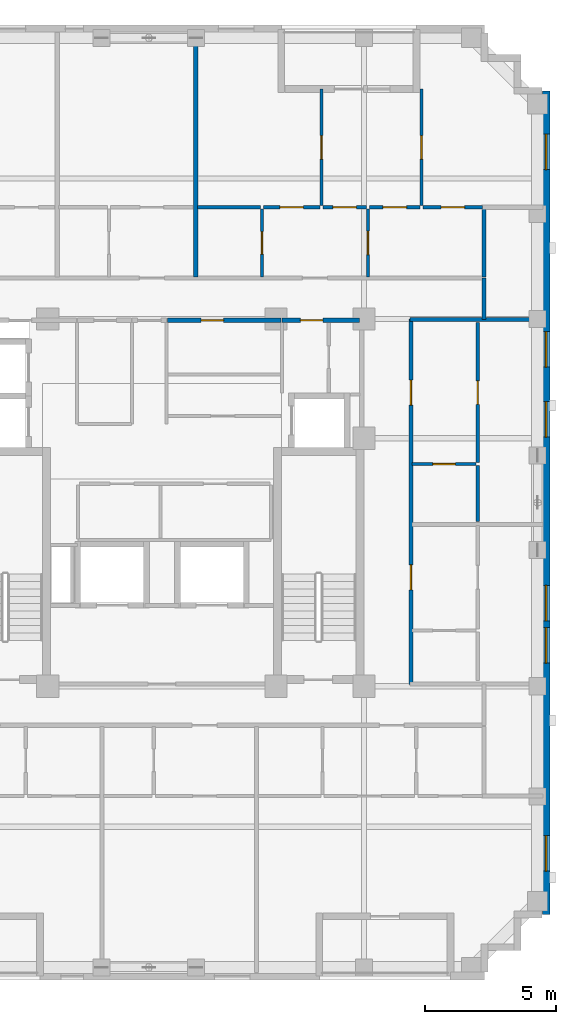
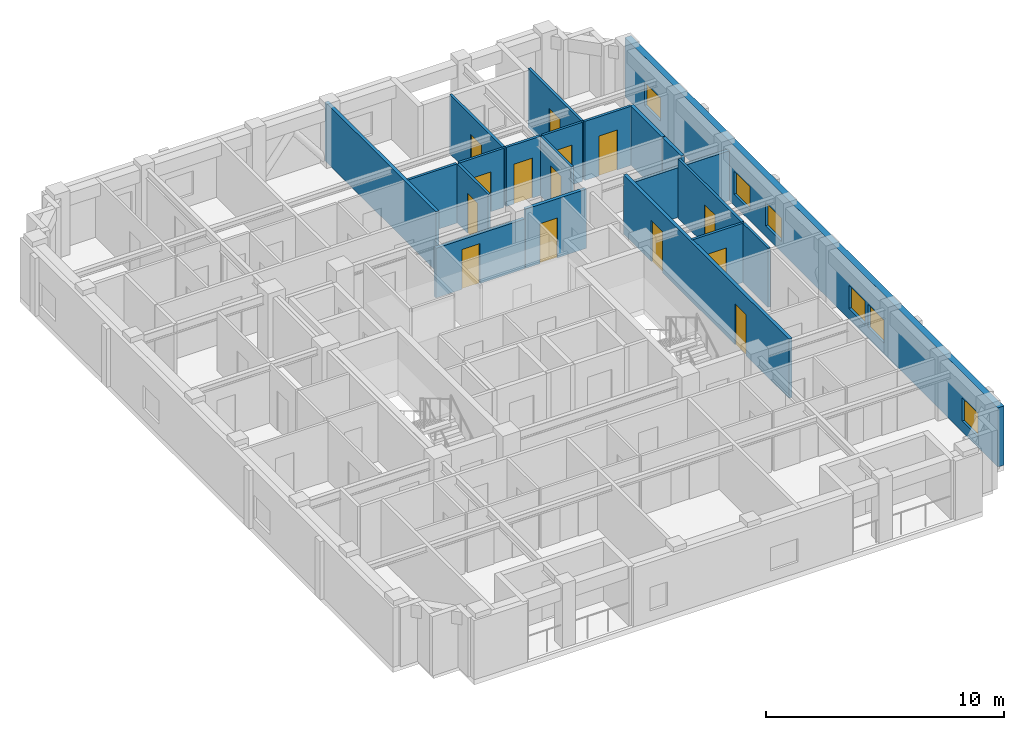
# One storey, part 6 of 11: 20 walls, 14 doors, 6 windows, 20 openings.
"""IFC4 building model written with IfcOpenShell, lengths in metres."""

import ifcopenshell
import ifcopenshell.guid

model = None  # the IFC model being written
_history = None  # IfcOwnerHistory: only IFC2X3 demands one
_inside = {}  # id of a spatial element -> (the spatial element, [elements in it])
_under = {}  # id of a project, library or spatial element -> (it, [spatial elements below it])
_declared = {}  # id of a project -> (the project, [libraries it declares])
_typed = {}  # id of a type object -> (the type object, [elements of that type])
_made_of = {}  # id of a material, layer set ... -> (it, [elements and type objects made of it])


def new_model(schema):
    """Start an empty IFC model of exactly this schema.

    Asked for "IFC4X3", IfcOpenShell would pick the latest addendum, in which some entities
    have other attributes; the version numbers below select the first issue.
    IFC2X3 requires an IfcOwnerHistory on every rooted entity: one is made here for all.
    """
    global model, _history
    if schema == "IFC4X3":
        model = ifcopenshell.file(schema_version=(4, 3, 0, 0))
    else:
        model = ifcopenshell.file(schema=schema)
    _inside.clear()
    _under.clear()
    _declared.clear()
    _typed.clear()
    _made_of.clear()
    _history = None
    if model.schema == "IFC2X3":
        org = make("IfcOrganization", Name="unknown")
        user = make(
            "IfcPersonAndOrganization",
            ThePerson=make("IfcPerson", FamilyName="unknown"),
            TheOrganization=org,
        )
        app = make(
            "IfcApplication",
            ApplicationDeveloper=org,
            Version="unknown",
            ApplicationFullName="unknown",
            ApplicationIdentifier="unknown",
        )
        _history = make(
            "IfcOwnerHistory",
            OwningUser=user,
            OwningApplication=app,
            ChangeAction="ADDED",
            CreationDate=0,
        )
    return model


def make(cls, **values):
    """One entity of the class cls with the attributes given. An attribute that is None is left unset."""
    return model.create_entity(
        cls, **{name: value for name, value in values.items() if value is not None}
    )


def rooted(cls, **values):
    """An entity with a GlobalId (a new one), such as an element, a storey or a relation."""
    return make(cls, GlobalId=ifcopenshell.guid.new(), OwnerHistory=_history, **values)


def si_unit(unit_type, name, prefix=None):
    """IfcSIUnit, for example si_unit("LENGTHUNIT", "METRE", prefix="MILLI")."""
    return make("IfcSIUnit", UnitType=unit_type, Prefix=prefix, Name=name)


def derived_unit(unit_type, elements):
    """IfcDerivedUnit: a product of units, each with its exponent."""
    return make(
        "IfcDerivedUnit",
        Elements=[
            make("IfcDerivedUnitElement", Unit=unit, Exponent=power)
            for unit, power in elements
        ],
        UnitType=unit_type,
    )


def assignment(units):
    """IfcUnitAssignment: the units of a project."""
    return None if units is None else make("IfcUnitAssignment", Units=units)


def point(xyz):
    """IfcCartesianPoint."""
    return None if xyz is None else make("IfcCartesianPoint", Coordinates=xyz)


def direction(xyz):
    """IfcDirection."""
    return None if xyz is None else make("IfcDirection", DirectionRatios=xyz)


def frame(location, z_axis=None, x_axis=None):
    """IfcAxis2Placement3D, a coordinate frame: its origin and axes. An axis left out is left unset."""
    return make(
        "IfcAxis2Placement3D",
        Location=point(location),
        Axis=direction(z_axis),
        RefDirection=direction(x_axis),
    )


def frame_2d(location, x_axis=None):
    """IfcAxis2Placement2D, a coordinate frame in the plane: its origin and x axis."""
    return make(
        "IfcAxis2Placement2D", Location=point(location), RefDirection=direction(x_axis)
    )


def origin():
    """The frame at (0, 0, 0) with its axes left unset."""
    return frame((0.0, 0.0, 0.0))


def place(relative_to, where):
    """IfcLocalPlacement: puts the frame where relative to a parent placement (None: the world)."""
    return make(
        "IfcLocalPlacement", PlacementRelTo=relative_to, RelativePlacement=where
    )


def context(
    kind, dimensions, precision=None, world=None, true_north=None, identifier=None
):
    """IfcGeometricRepresentationContext, for example the 3D "Model" context."""
    return make(
        "IfcGeometricRepresentationContext",
        ContextIdentifier=identifier,
        ContextType=kind,
        CoordinateSpaceDimension=dimensions,
        Precision=precision,
        WorldCoordinateSystem=world,
        TrueNorth=true_north,
    )


def subcontext(parent, identifier, kind, view, scale=None):
    """IfcGeometricRepresentationSubContext, for example "Body" below "Model"."""
    return make(
        "IfcGeometricRepresentationSubContext",
        ContextIdentifier=identifier,
        ContextType=kind,
        ParentContext=parent,
        TargetScale=scale,
        TargetView=view,
    )


def project(units=None, contexts=None):
    """IfcProject with its units and contexts."""
    return rooted(
        "IfcProject",
        Name="project",
        RepresentationContexts=contexts,
        UnitsInContext=assignment(units),
    )


def spatial(cls, under=None, at=None, **own):
    """A site, building, storey or space (cls), placed at a placement, below another one or the project."""
    s = rooted(cls, ObjectPlacement=at, **own)
    if under is not None:
        _under.setdefault(under.id(), (under, []))[1].append(s)
    return s


def profile(cls, at=None, kind="AREA", **sizes):
    """A parametric profile (cls). Its sizes go by their IFC names, for example OverallWidth=200.0."""
    return make(cls, ProfileType=kind, Position=at, **sizes)


def rectangle(**sizes):
    """IfcRectangleProfileDef."""
    return profile("IfcRectangleProfileDef", **sizes)


def extrude(swept, where, along, depth):
    """IfcExtrudedAreaSolid: the profile swept, set in the frame where, extruded along a direction by depth."""
    return make(
        "IfcExtrudedAreaSolid",
        SweptArea=swept,
        Position=where,
        ExtrudedDirection=direction(along),
        Depth=depth,
    )


def shape(context_of_items, identifier, shape_type, items):
    """IfcShapeRepresentation: the items that make up one representation, for example the "Body"."""
    return make(
        "IfcShapeRepresentation",
        ContextOfItems=context_of_items,
        RepresentationIdentifier=identifier,
        RepresentationType=shape_type,
        Items=items,
    )


def material(Name=None, Category=None):
    """IfcMaterial."""
    return make("IfcMaterial", Name=Name, Category=Category)


def layer(
    of_material, thickness, ventilated=None, Name=None, Category=None, Priority=None
):
    """IfcMaterialLayer: one layer of a wall or slab, of a material (None: an air gap)."""
    return make(
        "IfcMaterialLayer",
        Material=of_material,
        LayerThickness=thickness,
        IsVentilated=ventilated,
        Name=Name,
        Category=Category,
        Priority=Priority,
    )


def layer_set(layers, Name=None):
    """IfcMaterialLayerSet."""
    return make("IfcMaterialLayerSet", MaterialLayers=layers, LayerSetName=Name)


def made_of(thing, what):
    """Note that an element or type object is made of a material, layer set ...; save() writes the relation."""
    if what is not None:
        _made_of.setdefault(what.id(), (what, []))[1].append(thing)
    return thing


def type_object(cls, material=None, **own):
    """A type object (cls), such as IfcWallType, which elements share."""
    return made_of(rooted(cls, **own), material)


def element(
    cls,
    number,
    at=None,
    inside=None,
    cuts=None,
    type_object=None,
    material=None,
    context=None,
    identifier="Body",
    shape_type=None,
    held_by="IfcProductDefinitionShape",
    body=None,
    shapes=None,
    **own,
):
    """One element of the class cls, such as IfcWall. Its Tag is "e" and its number.

    at: its placement. inside: the storey or other place that contains it. cuts: it is an
    opening in that element (IfcRelVoidsElement). A single representation is given by context,
    identifier, shape_type and body (its items); several are given by shapes. held_by: the class
    of the entity that holds the representations. save() writes the other relations.
    """
    e = rooted(cls, Tag="e%d" % number, ObjectPlacement=at, **own)
    if body is not None:
        shapes = [shape(context, identifier, shape_type, body)]
    if shapes is not None:
        e.Representation = make(held_by, Representations=shapes)
    if inside is not None:
        _inside.setdefault(inside.id(), (inside, []))[1].append(e)
    if cuts is not None:
        rooted(
            "IfcRelVoidsElement", RelatingBuildingElement=cuts, RelatedOpeningElement=e
        )
    if type_object is not None:
        _typed.setdefault(type_object.id(), (type_object, []))[1].append(e)
    return made_of(e, material)


def fill(opening, filler):
    """IfcRelFillsElement: the door or window that sits in an opening."""
    return rooted(
        "IfcRelFillsElement",
        RelatingOpeningElement=opening,
        RelatedBuildingElement=filler,
    )


def aggregate(whole, parts):
    """IfcRelAggregates: a whole, such as a stair, and the parts it consists of."""
    return rooted("IfcRelAggregates", RelatingObject=whole, RelatedObjects=parts)


def save(model, path):
    """Write the relations noted so far, then the file.

    IfcRelAggregates (storeys below a building ...), IfcRelContainedInSpatialStructure (elements
    in a storey), IfcRelDefinesByType, IfcRelAssociatesMaterial and IfcRelDeclares: one each for
    every whole, place, type object, material and project.
    """
    for whole, parts in _under.values():
        aggregate(whole, parts)
    for where, things in _inside.values():
        rooted(
            "IfcRelContainedInSpatialStructure",
            RelatedElements=things,
            RelatingStructure=where,
        )
    for kind, things in _typed.values():
        rooted("IfcRelDefinesByType", RelatedObjects=things, RelatingType=kind)
    for what, things in _made_of.values():
        rooted("IfcRelAssociatesMaterial", RelatedObjects=things, RelatingMaterial=what)
    for by, libraries in _declared.values():
        rooted("IfcRelDeclares", RelatingContext=by, RelatedDefinitions=libraries)
    model.write(path)


model = new_model("IFC4")

# Units and contexts
model_context = context("Model", 3, precision=1e-05, world=origin(), true_north=direction((0.0, 1.0)))
body_context = subcontext(model_context, "Body", "Model", "MODEL_VIEW")
ifc_project = project(units=[si_unit("LENGTHUNIT", "METRE"), si_unit("AREAUNIT", "SQUARE_METRE"), si_unit("VOLUMEUNIT", "CUBIC_METRE"), si_unit("PLANEANGLEUNIT", "RADIAN"), si_unit("MASSUNIT", "GRAM", prefix="KILO"), derived_unit("THERMALTRANSMITTANCEUNIT", [(si_unit("MASSUNIT", "GRAM", prefix="KILO"), 1), (si_unit("TIMEUNIT", "SECOND"), -3), (si_unit("THERMODYNAMICTEMPERATUREUNIT", "KELVIN"), -1)])], contexts=[model_context])

# Site, building, storey
site_placement = place(None, origin())
site = spatial("IfcSite", under=ifc_project, at=site_placement, CompositionType="ELEMENT")
building_placement = place(site_placement, origin())
building = spatial("IfcBuilding", under=site, at=building_placement, Name="Korrvale Station Residences", CompositionType="ELEMENT")
storey_placement = place(building_placement, frame((0.0, 0.0, 214.0)))
storey = spatial("IfcBuildingStorey", under=building, at=storey_placement, Name="L62", CompositionType="ELEMENT", Elevation=214.0)

# Wall, openings, windows
ifc_material_1 = material(Name="Precast concrete C45/55", Category="concrete")
ifc_layer_1 = layer(ifc_material_1, 0.300048828125, Name="Precast concrete C45/55")
ifc_layer_set_1 = layer_set([ifc_layer_1], Name="Precast concrete C45/55")
wall_type_1 = type_object("IfcWallType", Name="WAL-EXT-PC300", PredefinedType="SOLIDWALL", material=ifc_layer_set_1)
wall_1_placement = place(storey_placement, frame((40.14990234375, 37.699951171875, 0.0), z_axis=(0.0, 0.0, 1.0), x_axis=(0.0, -1.0, 0.0)))
wall_1 = element("IfcWall", 1, at=wall_1_placement, inside=storey, type_object=wall_type_1, Name="L62 East Exterior Precast Wall 1", PredefinedType="SOLIDWALL", context=body_context, shape_type="SweptSolid", body=[
    extrude(rectangle(XDim=31.39990234375, YDim=0.300048828125, at=frame_2d((15.699951171875, 0.0))), origin(), (0.0, 0.0, 1.0), 3.0400390625),
])
opening_1_placement = place(wall_1_placement, frame((28.39599609375, 0.0, 0.550048828125)))
opening_1 = element("IfcOpeningElement", 2, at=opening_1_placement, cuts=wall_1, Name="Opening W-10", PredefinedType="OPENING", context=body_context, shape_type="SweptSolid", body=[
    extrude(rectangle(XDim=1.35009765625, YDim=1.199951171875, at=frame_2d((0.675048828125, 0.60009765625))), frame((0.0, 0.16015625, 0.0), z_axis=(0.0, -1.0, 0.0), x_axis=(1.0, 0.0, 0.0)), (0.0, 0.0, 1.0), 0.320068359375),
])
opening_2_placement = place(wall_1_placement, frame((1.653076171875, 0.0, 0.550048828125)))
opening_2 = element("IfcOpeningElement", 3, at=opening_2_placement, cuts=wall_1, Name="Opening W-10", PredefinedType="OPENING", context=body_context, shape_type="SweptSolid", body=[
    extrude(rectangle(XDim=1.35009765625, YDim=1.199951171875, at=frame_2d((0.675048828125, 0.60009765625))), frame((0.0, 0.16015625, 0.0), z_axis=(0.0, -1.0, 0.0), x_axis=(1.0, 0.0, 0.0)), (0.0, 0.0, 1.0), 0.320068359375),
])
opening_3_placement = place(wall_1_placement, frame((18.85595703125, 0.0, 0.550048828125)))
opening_3 = element("IfcOpeningElement", 4, at=opening_3_placement, cuts=wall_1, Name="Opening W-10", PredefinedType="OPENING", context=body_context, shape_type="SweptSolid", body=[
    extrude(rectangle(XDim=1.35009765625, YDim=1.199951171875, at=frame_2d((0.675048828125, 0.60009765625))), frame((0.0, 0.16015625, 0.0), z_axis=(0.0, -1.0, 0.0), x_axis=(1.0, 0.0, 0.0)), (0.0, 0.0, 1.0), 0.320068359375),
])
opening_4_placement = place(wall_1_placement, frame((20.466064453125, 0.0, 0.550048828125)))
opening_4 = element("IfcOpeningElement", 5, at=opening_4_placement, cuts=wall_1, Name="Opening W-10", PredefinedType="OPENING", context=body_context, shape_type="SweptSolid", body=[
    extrude(rectangle(XDim=1.35009765625, YDim=1.199951171875, at=frame_2d((0.675048828125, 0.60009765625))), frame((0.0, 0.16015625, 0.0), z_axis=(0.0, -1.0, 0.0), x_axis=(1.0, 0.0, 0.0)), (0.0, 0.0, 1.0), 0.320068359375),
])
opening_5_placement = place(wall_1_placement, frame((11.85009765625, 0.0, 0.550048828125)))
opening_5 = element("IfcOpeningElement", 6, at=opening_5_placement, cuts=wall_1, Name="Opening W-10", PredefinedType="OPENING", context=body_context, shape_type="SweptSolid", body=[
    extrude(rectangle(XDim=1.35009765625, YDim=1.199951171875, at=frame_2d((0.675048828125, 0.60009765625))), frame((0.0, 0.16015625, 0.0), z_axis=(0.0, -1.0, 0.0), x_axis=(1.0, 0.0, 0.0)), (0.0, 0.0, 1.0), 0.320068359375),
])
opening_6_placement = place(wall_1_placement, frame((9.18505859375, 0.0, 0.550048828125)))
opening_6 = element("IfcOpeningElement", 7, at=opening_6_placement, cuts=wall_1, Name="Opening W-10", PredefinedType="OPENING", context=body_context, shape_type="SweptSolid", body=[
    extrude(rectangle(XDim=1.35009765625, YDim=1.199951171875, at=frame_2d((0.675048828125, 0.60009765625))), frame((0.0, 0.16015625, 0.0), z_axis=(0.0, -1.0, 0.0), x_axis=(1.0, 0.0, 0.0)), (0.0, 0.0, 1.0), 0.320068359375),
])
ifc_material_2 = material(Name="Thermally broken aluminium frame with triple low-e glazing", Category="aluminium")
window_type = type_object("IfcWindowType", Name="WIN-W10", PartitioningType="SINGLE_PANEL", PredefinedType="WINDOW", material=ifc_material_2)
window_1_placement = place(opening_1_placement, origin())
window_1 = element("IfcWindow", 8, at=window_1_placement, inside=storey, type_object=window_type, Name="L62 Punched Window 03", OverallHeight=1.199951171875, OverallWidth=1.35009765625, PartitioningType="SINGLE_PANEL", PredefinedType="WINDOW", context=body_context, shape_type="SweptSolid", body=[
    extrude(rectangle(XDim=1.35009765625, YDim=1.199951171875, at=frame_2d((0.675048828125, 0.60009765625))), frame((0.0, 0.030029296875, 0.0), z_axis=(0.0, -1.0, 0.0), x_axis=(1.0, 0.0, 0.0)), (0.0, 0.0, 1.0), 0.06005859375),
])
fill(opening_1, window_1)
window_2_placement = place(opening_2_placement, origin())
window_2 = element("IfcWindow", 9, at=window_2_placement, inside=storey, type_object=window_type, Name="L62 Punched Window 10", OverallHeight=1.199951171875, OverallWidth=1.35009765625, PartitioningType="SINGLE_PANEL", PredefinedType="WINDOW", context=body_context, shape_type="SweptSolid", body=[
    extrude(rectangle(XDim=1.35009765625, YDim=1.199951171875, at=frame_2d((0.675048828125, 0.60009765625))), frame((0.0, 0.030029296875, 0.0), z_axis=(0.0, -1.0, 0.0), x_axis=(1.0, 0.0, 0.0)), (0.0, 0.0, 1.0), 0.06005859375),
])
fill(opening_2, window_2)
window_3_placement = place(opening_3_placement, origin())
window_3 = element("IfcWindow", 10, at=window_3_placement, inside=storey, type_object=window_type, Name="L62 Punched Window 13", OverallHeight=1.199951171875, OverallWidth=1.35009765625, PartitioningType="SINGLE_PANEL", PredefinedType="WINDOW", context=body_context, shape_type="SweptSolid", body=[
    extrude(rectangle(XDim=1.35009765625, YDim=1.199951171875, at=frame_2d((0.675048828125, 0.60009765625))), frame((0.0, 0.030029296875, 0.0), z_axis=(0.0, -1.0, 0.0), x_axis=(1.0, 0.0, 0.0)), (0.0, 0.0, 1.0), 0.06005859375),
])
fill(opening_3, window_3)
window_4_placement = place(opening_4_placement, origin())
window_4 = element("IfcWindow", 11, at=window_4_placement, inside=storey, type_object=window_type, Name="L62 Punched Window 14", OverallHeight=1.199951171875, OverallWidth=1.35009765625, PartitioningType="SINGLE_PANEL", PredefinedType="WINDOW", context=body_context, shape_type="SweptSolid", body=[
    extrude(rectangle(XDim=1.35009765625, YDim=1.199951171875, at=frame_2d((0.675048828125, 0.60009765625))), frame((0.0, 0.030029296875, 0.0), z_axis=(0.0, -1.0, 0.0), x_axis=(1.0, 0.0, 0.0)), (0.0, 0.0, 1.0), 0.06005859375),
])
fill(opening_4, window_4)
window_5_placement = place(opening_5_placement, origin())
window_5 = element("IfcWindow", 12, at=window_5_placement, inside=storey, type_object=window_type, Name="L62 Punched Window 15", OverallHeight=1.199951171875, OverallWidth=1.35009765625, PartitioningType="SINGLE_PANEL", PredefinedType="WINDOW", context=body_context, shape_type="SweptSolid", body=[
    extrude(rectangle(XDim=1.35009765625, YDim=1.199951171875, at=frame_2d((0.675048828125, 0.60009765625))), frame((0.0, 0.030029296875, 0.0), z_axis=(0.0, -1.0, 0.0), x_axis=(1.0, 0.0, 0.0)), (0.0, 0.0, 1.0), 0.06005859375),
])
fill(opening_5, window_5)
window_6_placement = place(opening_6_placement, origin())
window_6 = element("IfcWindow", 13, at=window_6_placement, inside=storey, type_object=window_type, Name="L62 Punched Window 16", OverallHeight=1.199951171875, OverallWidth=1.35009765625, PartitioningType="SINGLE_PANEL", PredefinedType="WINDOW", context=body_context, shape_type="SweptSolid", body=[
    extrude(rectangle(XDim=1.35009765625, YDim=1.199951171875, at=frame_2d((0.675048828125, 0.60009765625))), frame((0.0, 0.030029296875, 0.0), z_axis=(0.0, -1.0, 0.0), x_axis=(1.0, 0.0, 0.0)), (0.0, 0.0, 1.0), 0.06005859375),
])
fill(opening_6, window_6)

# Wall, opening, door
ifc_material_3 = material(Name="Acoustic steel-stud gypsum board partition", Category="steel")
ifc_layer_2 = layer(ifc_material_3, 0.1201171875, Name="Acoustic steel-stud gypsum board partition")
ifc_layer_set_2 = layer_set([ifc_layer_2], Name="Acoustic steel-stud gypsum board partition")
wall_type_2 = type_object("IfcWallType", Name="WAL-PART-125", PredefinedType="PARTITIONING", material=ifc_layer_set_2)
wall_2_placement = place(storey_placement, frame((29.31201171875, 30.60009765625, 0.0), z_axis=(0.0, 0.0, 1.0), x_axis=(0.0, 1.0, 0.0)))
wall_2 = element("IfcWall", 14, at=wall_2_placement, inside=storey, type_object=wall_type_2, Name="L62 Suite Partition U06-V01", PredefinedType="PARTITIONING", context=body_context, shape_type="SweptSolid", body=[
    extrude(rectangle(XDim=2.599853515625, YDim=0.1201171875, at=frame_2d((1.2998046875, 0.0))), origin(), (0.0, 0.0, 1.0), 3.0400390625),
])
opening_7_placement = place(wall_2_placement, frame((0.8701171875, 0.0, 0.0)))
opening_7 = element("IfcOpeningElement", 15, at=opening_7_placement, cuts=wall_2, Name="Opening DB-860", PredefinedType="OPENING", context=body_context, shape_type="SweptSolid", body=[
    extrude(rectangle(XDim=0.860107421875, YDim=2.050048828125, at=frame_2d((0.43017578125, 1.02490234375))), frame((0.0, 0.070068359375, 0.0), z_axis=(0.0, -1.0, 0.0), x_axis=(1.0, 0.0, 0.0)), (0.0, 0.0, 1.0), 0.14013671875),
])
ifc_material_4 = material(Name="Moisture-resistant solid-core bathroom door", Category="timber")
door_type_1 = type_object("IfcDoorType", Name="DR-BATH-860", OperationType="NOTDEFINED", PredefinedType="DOOR", material=ifc_material_4)
door_1_placement = place(opening_7_placement, origin())
door_1 = element("IfcDoor", 16, at=door_1_placement, inside=storey, type_object=door_type_1, Name="L62 Apartment 1BR L62-U06 Bathroom Door", OperationType="SINGLE_SWING_RIGHT", OverallHeight=2.050048828125, OverallWidth=0.860107421875, PredefinedType="DOOR", context=body_context, shape_type="SweptSolid", body=[
    extrude(rectangle(XDim=0.860107421875, YDim=2.050048828125, at=frame_2d((0.43017578125, 1.02490234375))), frame((0.0, 0.02490234375, 0.0), z_axis=(0.0, -1.0, 0.0), x_axis=(1.0, 0.0, 0.0)), (0.0, 0.0, 1.0), 0.050048828125),
])
fill(opening_7, door_1)

# Wall
wall_3_placement = place(storey_placement, frame((26.85205078125, 33.260009765625, 0.0), z_axis=(0.0, 0.0, 1.0), x_axis=(1.0, 0.0, 0.0)))
element("IfcWall", 17, at=wall_3_placement, inside=storey, type_object=wall_type_2, Name="L62 Suite Partition U06-H03", PredefinedType="PARTITIONING", context=body_context, shape_type="SweptSolid", body=[
    extrude(rectangle(XDim=2.39990234375, YDim=0.1201171875, at=frame_2d((1.199951171875, 0.0))), origin(), (0.0, 0.0, 1.0), 3.0400390625),
])

# Wall, opening, door
wall_4_placement = place(storey_placement, frame((33.35205078125, 30.60009765625, 0.0), z_axis=(0.0, 0.0, 1.0), x_axis=(0.0, 1.0, 0.0)))
wall_4 = element("IfcWall", 18, at=wall_4_placement, inside=storey, type_object=wall_type_2, Name="L62 Suite Partition U06-V12", PredefinedType="PARTITIONING", context=body_context, shape_type="SweptSolid", body=[
    extrude(rectangle(XDim=2.599853515625, YDim=0.1201171875, at=frame_2d((1.2998046875, 0.0))), origin(), (0.0, 0.0, 1.0), 3.0400390625),
])
opening_8_placement = place(wall_4_placement, frame((0.85009765625, 0.0, 0.0)))
opening_8 = element("IfcOpeningElement", 19, at=opening_8_placement, cuts=wall_4, Name="Opening DI-900", PredefinedType="OPENING", context=body_context, shape_type="SweptSolid", body=[
    extrude(rectangle(XDim=0.89990234375, YDim=2.050048828125, at=frame_2d((0.449951171875, 1.02490234375))), frame((0.0, 0.070068359375, 0.0), z_axis=(0.0, -1.0, 0.0), x_axis=(1.0, 0.0, 0.0)), (0.0, 0.0, 1.0), 0.14013671875),
])
ifc_material_5 = material(Name="Painted solid-core timber interior room door", Category="wood")
door_type_2 = type_object("IfcDoorType", Name="DR-INT-900", OperationType="NOTDEFINED", PredefinedType="DOOR", material=ifc_material_5)
door_2_placement = place(opening_8_placement, origin())
door_2 = element("IfcDoor", 20, at=door_2_placement, inside=storey, type_object=door_type_2, Name="L62 Apartment 1BR L62-U06 Kitchen Door", OperationType="SINGLE_SWING_LEFT", OverallHeight=2.050048828125, OverallWidth=0.89990234375, PredefinedType="DOOR", context=body_context, shape_type="SweptSolid", body=[
    extrude(rectangle(XDim=0.89990234375, YDim=2.050048828125, at=frame_2d((0.449951171875, 1.02490234375))), frame((0.0, 0.02490234375, 0.0), z_axis=(0.0, -1.0, 0.0), x_axis=(1.0, 0.0, 0.0)), (0.0, 0.0, 1.0), 0.050048828125),
])
fill(opening_8, door_2)

wall_5_placement = place(storey_placement, frame((29.3720703125, 33.260009765625, 0.0), z_axis=(0.0, 0.0, 1.0), x_axis=(1.0, 0.0, 0.0)))
wall_5 = element("IfcWall", 21, at=wall_5_placement, inside=storey, type_object=wall_type_2, Name="L62 Suite Partition U06-H13", PredefinedType="PARTITIONING", context=body_context, shape_type="SweptSolid", body=[
    extrude(rectangle(XDim=2.14794921875, YDim=0.1201171875, at=frame_2d((1.073974609375, 0.0))), origin(), (0.0, 0.0, 1.0), 3.0400390625),
])
opening_9_placement = place(wall_5_placement, frame((0.6240234375, 0.0, 0.0)))
opening_9 = element("IfcOpeningElement", 22, at=opening_9_placement, cuts=wall_5, Name="Opening DI-900", PredefinedType="OPENING", context=body_context, shape_type="SweptSolid", body=[
    extrude(rectangle(XDim=0.89990234375, YDim=2.050048828125, at=frame_2d((0.449951171875, 1.02490234375))), frame((0.0, 0.070068359375, 0.0), z_axis=(0.0, -1.0, 0.0), x_axis=(1.0, 0.0, 0.0)), (0.0, 0.0, 1.0), 0.14013671875),
])
door_3_placement = place(opening_9_placement, origin())
door_3 = element("IfcDoor", 23, at=door_3_placement, inside=storey, type_object=door_type_2, Name="L62 Apartment 1BR L62-U06 Kitchen Door", OperationType="SINGLE_SWING_RIGHT", OverallHeight=2.050048828125, OverallWidth=0.89990234375, PredefinedType="DOOR", context=body_context, shape_type="SweptSolid", body=[
    extrude(rectangle(XDim=0.89990234375, YDim=2.050048828125, at=frame_2d((0.449951171875, 1.02490234375))), frame((0.0, 0.02490234375, 0.0), z_axis=(0.0, -1.0, 0.0), x_axis=(1.0, 0.0, 0.0)), (0.0, 0.0, 1.0), 0.050048828125),
])
fill(opening_9, door_3)

wall_6_placement = place(storey_placement, frame((31.639892578125, 33.260009765625, 0.0), z_axis=(0.0, 0.0, 1.0), x_axis=(1.0, 0.0, 0.0)))
wall_6 = element("IfcWall", 24, at=wall_6_placement, inside=storey, type_object=wall_type_2, Name="L62 Suite Partition U06-H14", PredefinedType="PARTITIONING", context=body_context, shape_type="SweptSolid", body=[
    extrude(rectangle(XDim=1.652099609375, YDim=0.1201171875, at=frame_2d((0.826171875, 0.0))), origin(), (0.0, 0.0, 1.0), 3.0400390625),
])
opening_10_placement = place(wall_6_placement, frame((0.3759765625, 0.0, 0.0)))
opening_10 = element("IfcOpeningElement", 25, at=opening_10_placement, cuts=wall_6, Name="Opening DI-900", PredefinedType="OPENING", context=body_context, shape_type="SweptSolid", body=[
    extrude(rectangle(XDim=0.89990234375, YDim=2.050048828125, at=frame_2d((0.449951171875, 1.02490234375))), frame((0.0, 0.070068359375, 0.0), z_axis=(0.0, -1.0, 0.0), x_axis=(1.0, 0.0, 0.0)), (0.0, 0.0, 1.0), 0.14013671875),
])
door_4_placement = place(opening_10_placement, origin())
door_4 = element("IfcDoor", 26, at=door_4_placement, inside=storey, type_object=door_type_2, Name="L62 Apartment 1BR L62-U06 Kitchen Door", OperationType="SINGLE_SWING_LEFT", OverallHeight=2.050048828125, OverallWidth=0.89990234375, PredefinedType="DOOR", context=body_context, shape_type="SweptSolid", body=[
    extrude(rectangle(XDim=0.89990234375, YDim=2.050048828125, at=frame_2d((0.449951171875, 1.02490234375))), frame((0.0, 0.02490234375, 0.0), z_axis=(0.0, -1.0, 0.0), x_axis=(1.0, 0.0, 0.0)), (0.0, 0.0, 1.0), 0.050048828125),
])
fill(opening_10, door_4)

wall_7_placement = place(storey_placement, frame((33.412109375, 33.260009765625, 0.0), z_axis=(0.0, 0.0, 1.0), x_axis=(1.0, 0.0, 0.0)))
wall_7 = element("IfcWall", 27, at=wall_7_placement, inside=storey, type_object=wall_type_2, Name="L62 Suite Partition U06-H24", PredefinedType="PARTITIONING", context=body_context, shape_type="SweptSolid", body=[
    extrude(rectangle(XDim=1.927978515625, YDim=0.1201171875, at=frame_2d((0.9638671875, 0.0))), origin(), (0.0, 0.0, 1.0), 3.0400390625),
])
opening_11_placement = place(wall_7_placement, frame((0.513916015625, 0.0, 0.0)))
opening_11 = element("IfcOpeningElement", 28, at=opening_11_placement, cuts=wall_7, Name="Opening DI-900", PredefinedType="OPENING", context=body_context, shape_type="SweptSolid", body=[
    extrude(rectangle(XDim=0.89990234375, YDim=2.050048828125, at=frame_2d((0.449951171875, 1.02490234375))), frame((0.0, 0.070068359375, 0.0), z_axis=(0.0, -1.0, 0.0), x_axis=(1.0, 0.0, 0.0)), (0.0, 0.0, 1.0), 0.14013671875),
])
door_5_placement = place(opening_11_placement, origin())
door_5 = element("IfcDoor", 29, at=door_5_placement, inside=storey, type_object=door_type_2, Name="L62 Apartment 1BR L62-U06 Home Study Room Door", OperationType="SINGLE_SWING_RIGHT", OverallHeight=2.050048828125, OverallWidth=0.89990234375, PredefinedType="DOOR", context=body_context, shape_type="SweptSolid", body=[
    extrude(rectangle(XDim=0.89990234375, YDim=2.050048828125, at=frame_2d((0.449951171875, 1.02490234375))), frame((0.0, 0.02490234375, 0.0), z_axis=(0.0, -1.0, 0.0), x_axis=(1.0, 0.0, 0.0)), (0.0, 0.0, 1.0), 0.050048828125),
])
fill(opening_11, door_5)

wall_8_placement = place(storey_placement, frame((35.4599609375, 33.260009765625, 0.0), z_axis=(0.0, 0.0, 1.0), x_axis=(1.0, 0.0, 0.0)))
wall_8 = element("IfcWall", 30, at=wall_8_placement, inside=storey, type_object=wall_type_2, Name="L62 Suite Partition U06-H25", PredefinedType="PARTITIONING", context=body_context, shape_type="SweptSolid", body=[
    extrude(rectangle(XDim=2.260009765625, YDim=0.1201171875, at=frame_2d((1.1298828125, 0.0))), origin(), (0.0, 0.0, 1.0), 3.0400390625),
])
opening_12_placement = place(wall_8_placement, frame((0.679931640625, 0.0, 0.0)))
opening_12 = element("IfcOpeningElement", 31, at=opening_12_placement, cuts=wall_8, Name="Opening DI-900", PredefinedType="OPENING", context=body_context, shape_type="SweptSolid", body=[
    extrude(rectangle(XDim=0.89990234375, YDim=2.050048828125, at=frame_2d((0.449951171875, 1.02490234375))), frame((0.0, 0.070068359375, 0.0), z_axis=(0.0, -1.0, 0.0), x_axis=(1.0, 0.0, 0.0)), (0.0, 0.0, 1.0), 0.14013671875),
])
door_6_placement = place(opening_12_placement, origin())
door_6 = element("IfcDoor", 32, at=door_6_placement, inside=storey, type_object=door_type_2, Name="L62 Apartment 1BR L62-U06 Home Study Room Door", OperationType="SINGLE_SWING_LEFT", OverallHeight=2.050048828125, OverallWidth=0.89990234375, PredefinedType="DOOR", context=body_context, shape_type="SweptSolid", body=[
    extrude(rectangle(XDim=0.89990234375, YDim=2.050048828125, at=frame_2d((0.449951171875, 1.02490234375))), frame((0.0, 0.02490234375, 0.0), z_axis=(0.0, -1.0, 0.0), x_axis=(1.0, 0.0, 0.0)), (0.0, 0.0, 1.0), 0.050048828125),
])
fill(opening_12, door_6)

wall_9_placement = place(storey_placement, frame((31.580078125, 33.320068359375, 0.0), z_axis=(0.0, 0.0, 1.0), x_axis=(0.0, 1.0, 0.0)))
wall_9 = element("IfcWall", 33, at=wall_9_placement, inside=storey, type_object=wall_type_2, Name="L62 Suite Partition U06-V34", PredefinedType="PARTITIONING", context=body_context, shape_type="SweptSolid", body=[
    extrude(rectangle(XDim=4.449951171875, YDim=0.1201171875, at=frame_2d((2.22509765625, 0.0))), origin(), (0.0, 0.0, 1.0), 3.0400390625),
])
opening_13_placement = place(wall_9_placement, frame((1.77490234375, 0.0, 0.0)))
opening_13 = element("IfcOpeningElement", 34, at=opening_13_placement, cuts=wall_9, Name="Opening DI-900", PredefinedType="OPENING", context=body_context, shape_type="SweptSolid", body=[
    extrude(rectangle(XDim=0.89990234375, YDim=2.050048828125, at=frame_2d((0.449951171875, 1.02490234375))), frame((0.0, 0.070068359375, 0.0), z_axis=(0.0, -1.0, 0.0), x_axis=(1.0, 0.0, 0.0)), (0.0, 0.0, 1.0), 0.14013671875),
])
door_7_placement = place(opening_13_placement, origin())
door_7 = element("IfcDoor", 35, at=door_7_placement, inside=storey, type_object=door_type_2, Name="L62 Apartment 1BR L62-U06 Living and Dining Room Door", OperationType="SINGLE_SWING_RIGHT", OverallHeight=2.050048828125, OverallWidth=0.89990234375, PredefinedType="DOOR", context=body_context, shape_type="SweptSolid", body=[
    extrude(rectangle(XDim=0.89990234375, YDim=2.050048828125, at=frame_2d((0.449951171875, 1.02490234375))), frame((0.0, 0.02490234375, 0.0), z_axis=(0.0, -1.0, 0.0), x_axis=(1.0, 0.0, 0.0)), (0.0, 0.0, 1.0), 0.050048828125),
])
fill(opening_13, door_7)

wall_10_placement = place(storey_placement, frame((35.39990234375, 33.320068359375, 0.0), z_axis=(0.0, 0.0, 1.0), x_axis=(0.0, 1.0, 0.0)))
wall_10 = element("IfcWall", 36, at=wall_10_placement, inside=storey, type_object=wall_type_2, Name="L62 Suite Partition U06-V45", PredefinedType="PARTITIONING", context=body_context, shape_type="SweptSolid", body=[
    extrude(rectangle(XDim=4.449951171875, YDim=0.1201171875, at=frame_2d((2.22509765625, 0.0))), origin(), (0.0, 0.0, 1.0), 3.0400390625),
])
opening_14_placement = place(wall_10_placement, frame((1.77490234375, 0.0, 0.0)))
opening_14 = element("IfcOpeningElement", 37, at=opening_14_placement, cuts=wall_10, Name="Opening DI-900", PredefinedType="OPENING", context=body_context, shape_type="SweptSolid", body=[
    extrude(rectangle(XDim=0.89990234375, YDim=2.050048828125, at=frame_2d((0.449951171875, 1.02490234375))), frame((0.0, 0.070068359375, 0.0), z_axis=(0.0, -1.0, 0.0), x_axis=(1.0, 0.0, 0.0)), (0.0, 0.0, 1.0), 0.14013671875),
])
door_8_placement = place(opening_14_placement, origin())
door_8 = element("IfcDoor", 38, at=door_8_placement, inside=storey, type_object=door_type_2, Name="L62 Apartment 1BR L62-U06 Formal Dining Room Door", OperationType="SINGLE_SWING_LEFT", OverallHeight=2.050048828125, OverallWidth=0.89990234375, PredefinedType="DOOR", context=body_context, shape_type="SweptSolid", body=[
    extrude(rectangle(XDim=0.89990234375, YDim=2.050048828125, at=frame_2d((0.449951171875, 1.02490234375))), frame((0.0, 0.02490234375, 0.0), z_axis=(0.0, -1.0, 0.0), x_axis=(1.0, 0.0, 0.0)), (0.0, 0.0, 1.0), 0.050048828125),
])
fill(opening_14, door_8)

wall_11_placement = place(storey_placement, frame((35.030029296875, 23.467041015625, 0.0), z_axis=(0.0, 0.0, 1.0), x_axis=(1.0, 0.0, 0.0)))
wall_11 = element("IfcWall", 39, at=wall_11_placement, inside=storey, type_object=wall_type_2, Name="L62 Suite Partition U09-H01", PredefinedType="PARTITIONING", context=body_context, shape_type="SweptSolid", body=[
    extrude(rectangle(XDim=2.449951171875, YDim=0.1201171875, at=frame_2d((1.22509765625, 0.0))), origin(), (0.0, 0.0, 1.0), 3.0400390625),
])
opening_15_placement = place(wall_11_placement, frame((0.794921875, 0.0, 0.0)))
opening_15 = element("IfcOpeningElement", 40, at=opening_15_placement, cuts=wall_11, Name="Opening DB-860", PredefinedType="OPENING", context=body_context, shape_type="SweptSolid", body=[
    extrude(rectangle(XDim=0.860107421875, YDim=2.050048828125, at=frame_2d((0.43017578125, 1.02490234375))), frame((0.0, 0.070068359375, 0.0), z_axis=(0.0, -1.0, 0.0), x_axis=(1.0, 0.0, 0.0)), (0.0, 0.0, 1.0), 0.14013671875),
])
door_9_placement = place(opening_15_placement, origin())
door_9 = element("IfcDoor", 41, at=door_9_placement, inside=storey, type_object=door_type_1, Name="L62 Apartment 1BR L62-U09 Bathroom Door", OperationType="SINGLE_SWING_LEFT", OverallHeight=2.050048828125, OverallWidth=0.860107421875, PredefinedType="DOOR", context=body_context, shape_type="SweptSolid", body=[
    extrude(rectangle(XDim=0.860107421875, YDim=2.050048828125, at=frame_2d((0.43017578125, 1.02490234375))), frame((0.0, 0.02490234375, 0.0), z_axis=(0.0, -1.0, 0.0), x_axis=(1.0, 0.0, 0.0)), (0.0, 0.0, 1.0), 0.050048828125),
])
fill(opening_15, door_9)

# Wall
wall_12_placement = place(storey_placement, frame((37.5400390625, 21.285888671875, 0.0), z_axis=(0.0, 0.0, 1.0), x_axis=(0.0, 1.0, 0.0)))
element("IfcWall", 42, at=wall_12_placement, inside=storey, type_object=wall_type_2, Name="L62 Suite Partition U09-V02", PredefinedType="PARTITIONING", context=body_context, shape_type="SweptSolid", body=[
    extrude(rectangle(XDim=2.12109375, YDim=0.1201171875, at=frame_2d((1.060546875, 0.0))), origin(), (0.0, 0.0, 1.0), 3.0400390625),
])

# Wall, opening, door
wall_13_placement = place(storey_placement, frame((37.5400390625, 23.527099609375, 0.0), z_axis=(0.0, 0.0, 1.0), x_axis=(0.0, 1.0, 0.0)))
wall_13 = element("IfcWall", 43, at=wall_13_placement, inside=storey, type_object=wall_type_2, Name="L62 Suite Partition U09-V12", PredefinedType="PARTITIONING", context=body_context, shape_type="SweptSolid", body=[
    extrude(rectangle(XDim=5.3330078125, YDim=0.1201171875, at=frame_2d((2.66650390625, 0.0))), origin(), (0.0, 0.0, 1.0), 3.0400390625),
])
opening_16_placement = place(wall_13_placement, frame((2.216064453125, 0.0, 0.0)))
opening_16 = element("IfcOpeningElement", 44, at=opening_16_placement, cuts=wall_13, Name="Opening DI-900", PredefinedType="OPENING", context=body_context, shape_type="SweptSolid", body=[
    extrude(rectangle(XDim=0.89990234375, YDim=2.050048828125, at=frame_2d((0.449951171875, 1.02490234375))), frame((0.0, 0.070068359375, 0.0), z_axis=(0.0, -1.0, 0.0), x_axis=(1.0, 0.0, 0.0)), (0.0, 0.0, 1.0), 0.14013671875),
])
door_10_placement = place(opening_16_placement, origin())
door_10 = element("IfcDoor", 45, at=door_10_placement, inside=storey, type_object=door_type_2, Name="L62 Apartment 1BR L62-U09 Kitchen Door", OperationType="SINGLE_SWING_RIGHT", OverallHeight=2.050048828125, OverallWidth=0.89990234375, PredefinedType="DOOR", context=body_context, shape_type="SweptSolid", body=[
    extrude(rectangle(XDim=0.89990234375, YDim=2.050048828125, at=frame_2d((0.449951171875, 1.02490234375))), frame((0.0, 0.02490234375, 0.0), z_axis=(0.0, -1.0, 0.0), x_axis=(1.0, 0.0, 0.0)), (0.0, 0.0, 1.0), 0.050048828125),
])
fill(opening_16, door_10)

ifc_material_6 = material(Name="Fire-rated twin-stud gypsum and mineral wool shaftwall assembly", Category="gypsum")
ifc_layer_3 = layer(ifc_material_6, 0.159912109375, Name="Fire-rated twin-stud gypsum and mineral wool shaftwall assembly")
ifc_layer_set_3 = layer_set([ifc_layer_3], Name="Fire-rated twin-stud gypsum and mineral wool shaftwall assembly")
wall_type_3 = type_object("IfcWallType", Name="WAL-PART-200", PredefinedType="PARTITIONING", material=ifc_layer_set_3)
wall_14_placement = place(storey_placement, frame((30.080078125, 28.949951171875, 0.0), z_axis=(0.0, 0.0, 1.0), x_axis=(1.0, 0.0, 0.0)))
wall_14 = element("IfcWall", 46, at=wall_14_placement, inside=storey, type_object=wall_type_3, Name="L62 Core Partition CW-CS-N", PredefinedType="PARTITIONING", context=body_context, shape_type="SweptSolid", body=[
    extrude(rectangle(XDim=2.9599609375, YDim=0.159912109375, at=frame_2d((1.47998046875, 0.0))), origin(), (0.0, 0.0, 1.0), 3.0400390625),
])
opening_17_placement = place(wall_14_placement, frame((0.695068359375, 0.0, 0.0)))
opening_17 = element("IfcOpeningElement", 47, at=opening_17_placement, cuts=wall_14, Name="Opening DB-860", PredefinedType="OPENING", context=body_context, shape_type="SweptSolid", body=[
    extrude(rectangle(XDim=0.860107421875, YDim=2.050048828125, at=frame_2d((0.43017578125, 1.02490234375))), frame((0.0, 0.08984375, 0.0), z_axis=(0.0, -1.0, 0.0), x_axis=(1.0, 0.0, 0.0)), (0.0, 0.0, 1.0), 0.179931640625),
])
door_11_placement = place(opening_17_placement, origin())
door_11 = element("IfcDoor", 48, at=door_11_placement, inside=storey, type_object=door_type_1, Name="L62 Housekeeping Supply Door", OperationType="SINGLE_SWING_LEFT", OverallHeight=2.050048828125, OverallWidth=0.860107421875, PredefinedType="DOOR", context=body_context, shape_type="SweptSolid", body=[
    extrude(rectangle(XDim=0.860107421875, YDim=2.050048828125, at=frame_2d((0.43017578125, 1.02490234375))), frame((0.0, 0.02490234375, 0.0), z_axis=(0.0, -1.0, 0.0), x_axis=(1.0, 0.0, 0.0)), (0.0, 0.0, 1.0), 0.050048828125),
])
fill(opening_17, door_11)

wall_15_placement = place(storey_placement, frame((25.719970703125, 28.949951171875, 0.0), z_axis=(0.0, 0.0, 1.0), x_axis=(1.0, 0.0, 0.0)))
wall_15 = element("IfcWall", 49, at=wall_15_placement, inside=storey, type_object=wall_type_3, Name="L62 Core Partition CW-FPLE-N", PredefinedType="PARTITIONING", context=body_context, shape_type="SweptSolid", body=[
    extrude(rectangle(XDim=4.320068359375, YDim=0.159912109375, at=frame_2d((2.16015625, 0.0))), origin(), (0.0, 0.0, 1.0), 2.555908203125),
])
opening_18_placement = place(wall_15_placement, frame((1.27001953125, 0.0, 0.0)))
opening_18 = element("IfcOpeningElement", 50, at=opening_18_placement, cuts=wall_15, Name="Opening DB-860", PredefinedType="OPENING", context=body_context, shape_type="SweptSolid", body=[
    extrude(rectangle(XDim=0.860107421875, YDim=2.050048828125, at=frame_2d((0.43017578125, 1.02490234375))), frame((0.0, 0.08984375, 0.0), z_axis=(0.0, -1.0, 0.0), x_axis=(1.0, 0.0, 0.0)), (0.0, 0.0, 1.0), 0.179931640625),
])
door_12_placement = place(opening_18_placement, origin())
door_12 = element("IfcDoor", 51, at=door_12_placement, inside=storey, type_object=door_type_1, Name="L62 Luggage Store Door", OperationType="SINGLE_SWING_RIGHT", OverallHeight=2.050048828125, OverallWidth=0.860107421875, PredefinedType="DOOR", context=body_context, shape_type="SweptSolid", body=[
    extrude(rectangle(XDim=0.860107421875, YDim=2.050048828125, at=frame_2d((0.43017578125, 1.02490234375))), frame((0.0, 0.02490234375, 0.0), z_axis=(0.0, -1.0, 0.0), x_axis=(1.0, 0.0, 0.0)), (0.0, 0.0, 1.0), 0.050048828125),
])
fill(opening_18, door_12)

# Walls
wall_16_placement = place(storey_placement, frame((37.780029296875, 28.97998046875, 0.0), z_axis=(0.0, 0.0, 1.0), x_axis=(0.0, 1.0, 0.0)))
element("IfcWall", 52, at=wall_16_placement, inside=storey, type_object=wall_type_3, Name="L62 Corridor North East Cap", PredefinedType="PARTITIONING", context=body_context, shape_type="SweptSolid", body=[
    extrude(rectangle(XDim=1.580078125, YDim=0.159912109375, at=frame_2d((0.7900390625, 0.0))), origin(), (0.0, 0.0, 1.0), 3.0400390625),
])
wall_17_placement = place(storey_placement, frame((34.949951171875, 28.97998046875, 0.0), z_axis=(0.0, 0.0, 1.0), x_axis=(1.0, 0.0, 0.0)))
element("IfcWall", 53, at=wall_17_placement, inside=storey, type_object=wall_type_3, Name="L62 East Wing North Corridor Wall", PredefinedType="PARTITIONING", context=body_context, shape_type="SweptSolid", body=[
    extrude(rectangle(XDim=5.070068359375, YDim=0.159912109375, at=frame_2d((2.53515625, 0.0))), origin(), (0.0, 0.0, 1.0), 2.555908203125),
])
wall_18_placement = place(storey_placement, frame((37.780029296875, 30.60009765625, 0.0), z_axis=(0.0, 0.0, 1.0), x_axis=(0.0, 1.0, 0.0)))
element("IfcWall", 54, at=wall_18_placement, inside=storey, type_object=wall_type_3, Name="L62 Corner Step Cheek U06-R", PredefinedType="PARTITIONING", context=body_context, shape_type="SweptSolid", body=[
    extrude(rectangle(XDim=2.659912109375, YDim=0.159912109375, at=frame_2d((1.330078125, 0.0))), origin(), (0.0, 0.0, 1.0), 3.0400390625),
])
wall_19_placement = place(storey_placement, frame((26.7919921875, 30.60009765625, 0.0), z_axis=(0.0, 0.0, 1.0), x_axis=(0.0, 1.0, 0.0)))
element("IfcWall", 55, at=wall_19_placement, inside=storey, type_object=wall_type_3, Name="L62 Demising Wall U06-W", PredefinedType="PARTITIONING", context=body_context, shape_type="SweptSolid", body=[
    extrude(rectangle(XDim=9.31982421875, YDim=0.159912109375, at=frame_2d((4.659912109375, 0.0))), origin(), (0.0, 0.0, 1.0), 3.0400390625),
])

# Wall, openings, doors
wall_20_placement = place(storey_placement, frame((34.989990234375, 15.070068359375, 0.0), z_axis=(0.0, 0.0, 1.0), x_axis=(0.0, 1.0, 0.0)))
wall_20 = element("IfcWall", 56, at=wall_20_placement, inside=storey, type_object=wall_type_3, Name="L62 Rated Corridor Wall E", PredefinedType="PARTITIONING", context=body_context, shape_type="SweptSolid", body=[
    extrude(rectangle(XDim=13.929931640625, YDim=0.159912109375, at=frame_2d((6.96484375, 0.0))), origin(), (0.0, 0.0, 1.0), 3.0400390625),
])
opening_19_placement = place(wall_20_placement, frame((3.60791015625, 0.0, 0.0)))
opening_19 = element("IfcOpeningElement", 57, at=opening_19_placement, cuts=wall_20, Name="Opening UD-950", PredefinedType="OPENING", context=body_context, shape_type="SweptSolid", body=[
    extrude(rectangle(XDim=0.949951171875, YDim=2.10009765625, at=frame_2d((0.47509765625, 1.050048828125))), frame((0.0, 0.08984375, 0.0), z_axis=(0.0, -1.0, 0.0), x_axis=(1.0, 0.0, 0.0)), (0.0, 0.0, 1.0), 0.179931640625),
])
opening_20_placement = place(wall_20_placement, frame((10.64892578125, 0.0, 0.0)))
opening_20 = element("IfcOpeningElement", 58, at=opening_20_placement, cuts=wall_20, Name="Opening UD-950", PredefinedType="OPENING", context=body_context, shape_type="SweptSolid", body=[
    extrude(rectangle(XDim=0.949951171875, YDim=2.10009765625, at=frame_2d((0.47509765625, 1.050048828125))), frame((0.0, 0.08984375, 0.0), z_axis=(0.0, -1.0, 0.0), x_axis=(1.0, 0.0, 0.0)), (0.0, 0.0, 1.0), 0.179931640625),
])
ifc_material_7 = material(Name="Solid-core acoustic oak apartment entrance door", Category="timber")
door_type_3 = type_object("IfcDoorType", Name="DR-UNIT-950", OperationType="NOTDEFINED", PredefinedType="DOOR", material=ifc_material_7)
door_13_placement = place(opening_19_placement, origin())
door_13 = element("IfcDoor", 59, at=door_13_placement, inside=storey, type_object=door_type_3, Name="L62 Apartment L62-U08 Entrance Door", OperationType="SINGLE_SWING_LEFT", OverallHeight=2.10009765625, OverallWidth=0.949951171875, PredefinedType="DOOR", context=body_context, shape_type="SweptSolid", body=[
    extrude(rectangle(XDim=0.949951171875, YDim=2.10009765625, at=frame_2d((0.47509765625, 1.050048828125))), frame((0.0, 0.02490234375, 0.0), z_axis=(0.0, -1.0, 0.0), x_axis=(1.0, 0.0, 0.0)), (0.0, 0.0, 1.0), 0.050048828125),
])
fill(opening_19, door_13)
door_14_placement = place(opening_20_placement, origin())
door_14 = element("IfcDoor", 60, at=door_14_placement, inside=storey, type_object=door_type_3, Name="L62 Apartment L62-U09 Entrance Door", OperationType="SINGLE_SWING_RIGHT", OverallHeight=2.10009765625, OverallWidth=0.949951171875, PredefinedType="DOOR", context=body_context, shape_type="SweptSolid", body=[
    extrude(rectangle(XDim=0.949951171875, YDim=2.10009765625, at=frame_2d((0.47509765625, 1.050048828125))), frame((0.0, 0.02490234375, 0.0), z_axis=(0.0, -1.0, 0.0), x_axis=(1.0, 0.0, 0.0)), (0.0, 0.0, 1.0), 0.050048828125),
])
fill(opening_20, door_14)

save(model, "model.ifc")
